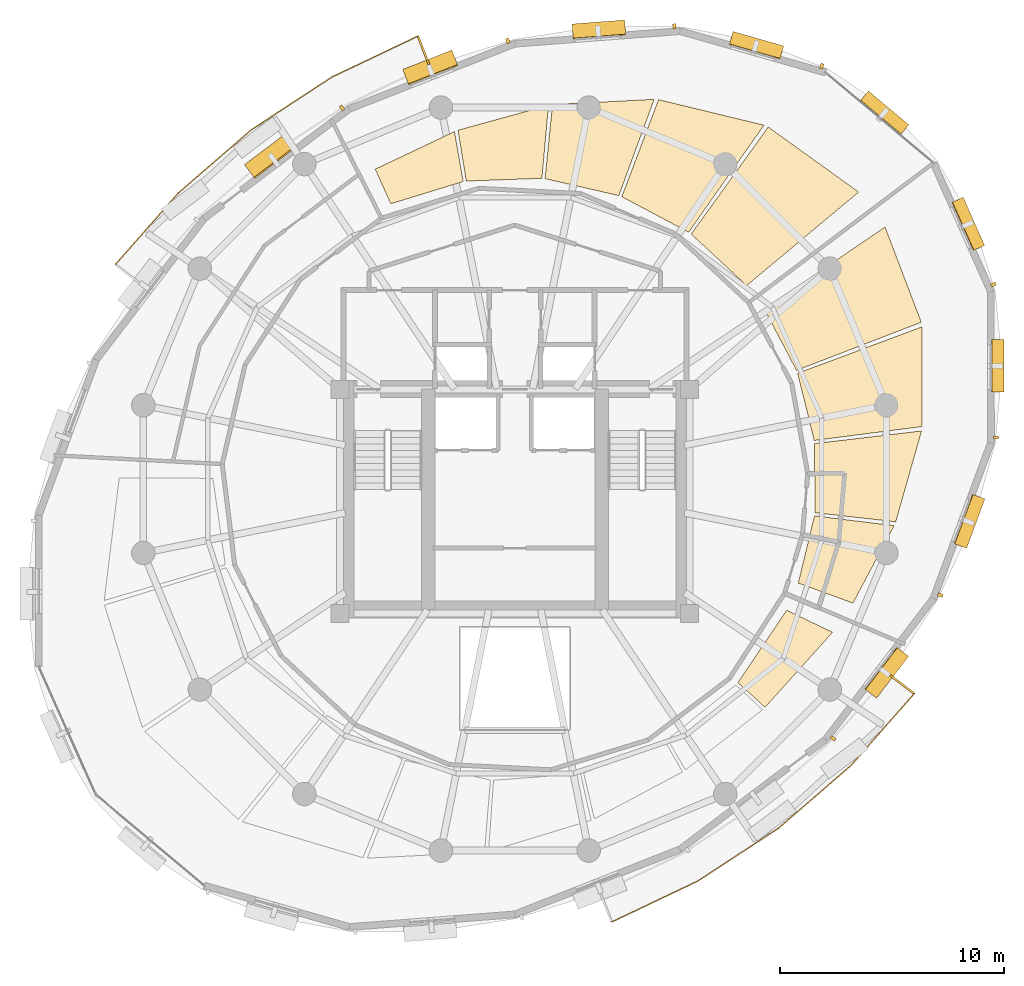
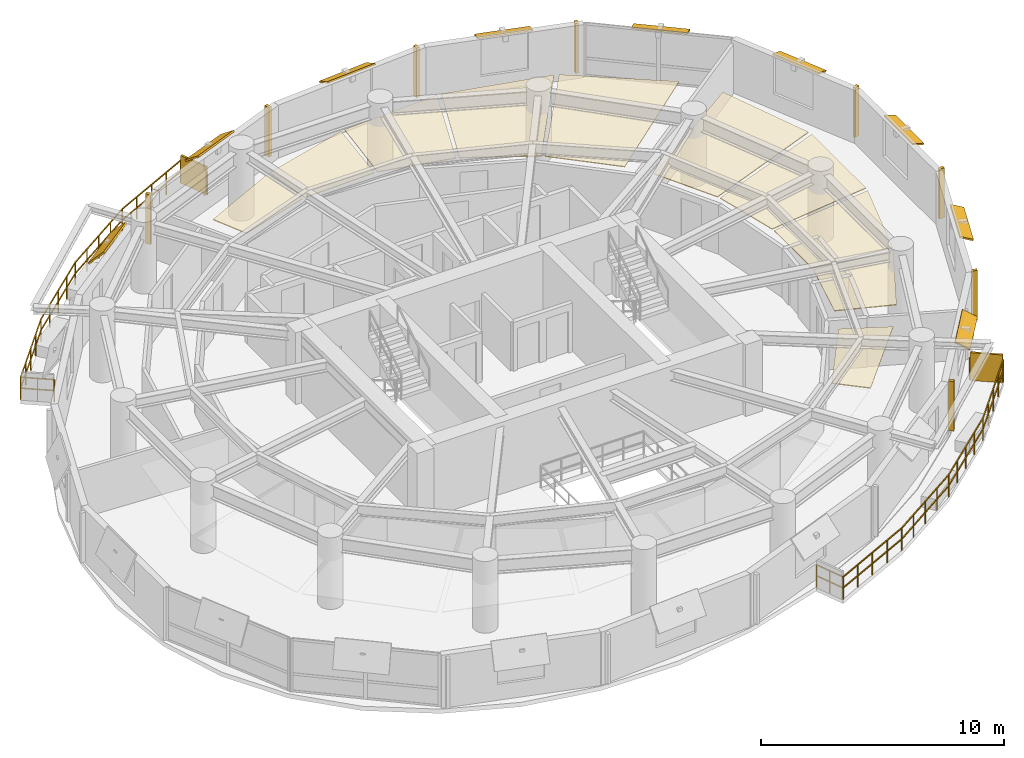
# One storey, part 12 of 12: 19 shading devices, 10 coverings, 2 railings.
"""IFC4 building model written with IfcOpenShell, lengths in metres."""

from ifc_helpers import new_model, si_unit, direction, frame, origin, origin_2d, place, context, subcontext, project, spatial, polyline, rectangle, outline, extrude, material, layer, layer_set, type_object, element, save


model = new_model("IFC4")

# Units and contexts
model_context = context("Model", 3, precision=1e-05, world=origin(), true_north=direction((0.0, 1.0)))
body_context = subcontext(model_context, "Body", "Model", "MODEL_VIEW")
ifc_project = project(units=[si_unit("LENGTHUNIT", "METRE"), si_unit("AREAUNIT", "SQUARE_METRE"), si_unit("VOLUMEUNIT", "CUBIC_METRE"), si_unit("PLANEANGLEUNIT", "RADIAN"), si_unit("MASSUNIT", "GRAM", prefix="KILO"), si_unit("THERMODYNAMICTEMPERATUREUNIT", "KELVIN"), si_unit("POWERUNIT", "WATT")], contexts=[model_context])

# Site, building, storey
site_placement = place(None, origin())
site = spatial("IfcSite", under=ifc_project, at=site_placement, CompositionType="ELEMENT")
building_placement = place(site_placement, origin())
building = spatial("IfcBuilding", under=site, at=building_placement, Name="Ocrelia Relay Tower", CompositionType="ELEMENT")
storey_placement = place(building_placement, frame((0.0, 0.0, 188.0)))
storey = spatial("IfcBuildingStorey", under=building, at=storey_placement, Name="L45", CompositionType="ELEMENT", Elevation=188.0)

# Coverings
ifc_material_1 = material(Name="Mineral-fiber acoustic ceiling tile", Category="gypsum")
ifc_layer_1 = layer(ifc_material_1, 0.0400390625, Name="Mineral-fiber acoustic ceiling tile")
ifc_layer_set_1 = layer_set([ifc_layer_1], Name="Mineral-fiber acoustic ceiling tile")
covering_type = type_object("IfcCoveringType", Name="COV-CEIL-ACOUSTIC", PredefinedType="CEILING", material=ifc_layer_set_1)
covering_1_placement = place(storey_placement, frame((0.0, 0.0, 2.3798828125)))
element("IfcCovering", 1, at=covering_1_placement, inside=storey, type_object=covering_type, Name="L45 Shift Staff Lounge Suspended Ceiling 1", PredefinedType="CEILING", context=body_context, shape_type="SweptSolid", body=[
    extrude(outline(polyline([(46.6455078125, 21.35986328125), (49.08349609375, 20.46533203125), (50.9228515625, 23.922119140625), (47.36962890625, 24.3583984375), (46.6455078125, 21.35986328125)])), origin(), (0.0, 0.0, 1.0), 0.0400390625),
])
covering_2_placement = place(storey_placement, frame((0.0, 0.0, 2.3798828125)))
element("IfcCovering", 2, at=covering_2_placement, inside=storey, type_object=covering_type, Name="L45 Shift Staff Lounge Suspended Ceiling 2", PredefinedType="CEILING", context=body_context, shape_type="SweptSolid", body=[
    extrude(outline(polyline([(47.385986328125, 24.49853515625), (50.993896484375, 24.09375), (52.14599609375, 28.147705078125), (47.376708984375, 27.583251953125), (47.385986328125, 24.49853515625)])), origin(), (0.0, 0.0, 1.0), 0.0400390625),
])
covering_3_placement = place(storey_placement, frame((0.0, 0.0, 2.3798828125)))
element("IfcCovering", 3, at=covering_3_placement, inside=storey, type_object=covering_type, Name="L45 Shift Staff Lounge Suspended Ceiling 3", PredefinedType="CEILING", context=body_context, shape_type="SweptSolid", body=[
    extrude(outline(polyline([(47.359375, 27.72314453125), (52.17626953125, 28.344482421875), (52.1689453125, 32.793212890625), (46.616943359375, 30.71728515625), (47.359375, 27.72314453125)])), origin(), (0.0, 0.0, 1.0), 0.0400390625),
])
covering_4_placement = place(storey_placement, frame((0.0, 0.0, 2.3798828125)))
element("IfcCovering", 4, at=covering_4_placement, inside=storey, type_object=covering_type, Name="L45 Shift Staff Lounge Suspended Ceiling 4", PredefinedType="CEILING", context=body_context, shape_type="SweptSolid", body=[
    extrude(outline(polyline([(46.56689453125, 30.84912109375), (52.134033203125, 32.997314453125), (50.5166015625, 37.24560546875), (45.13427734375, 33.5810546875), (46.56689453125, 30.84912109375)])), origin(), (0.0, 0.0, 1.0), 0.0400390625),
])
covering_5_placement = place(storey_placement, frame((0.0, 0.0, 2.3798828125)))
element("IfcCovering", 5, at=covering_5_placement, inside=storey, type_object=covering_type, Name="L45 Cloud Engineering Workspace Suspended Ceiling 1", PredefinedType="CEILING", context=body_context, shape_type="SweptSolid", body=[
    extrude(outline(polyline([(44.34130859375, 34.63134765625), (49.34033203125, 38.8037109375), (45.306884765625, 41.706298828125), (41.869873046875, 36.931884765625), (44.34130859375, 34.63134765625)])), origin(), (0.0, 0.0, 1.0), 0.0400390625),
])
covering_6_placement = place(storey_placement, frame((0.0, 0.0, 2.3798828125)))
element("IfcCovering", 6, at=covering_6_placement, inside=storey, type_object=covering_type, Name="L45 Cloud Engineering Workspace Suspended Ceiling 2", PredefinedType="CEILING", context=body_context, shape_type="SweptSolid", body=[
    extrude(outline(polyline([(41.7548828125, 37.013671875), (45.117431640625, 41.789306640625), (40.4130859375, 42.9267578125), (38.772216796875, 38.59619140625), (41.7548828125, 37.013671875)])), origin(), (0.0, 0.0, 1.0), 0.0400390625),
])
covering_7_placement = place(storey_placement, frame((0.0, 0.0, 2.3798828125)))
element("IfcCovering", 7, at=covering_7_placement, inside=storey, type_object=covering_type, Name="L45 Cloud Engineering Workspace Suspended Ceiling 3", PredefinedType="CEILING", context=body_context, shape_type="SweptSolid", body=[
    extrude(outline(polyline([(38.64013671875, 38.6455078125), (40.216552734375, 42.94189453125), (35.682373046875, 42.706787109375), (35.349609375, 39.402099609375), (38.64013671875, 38.6455078125)])), origin(), (0.0, 0.0, 1.0), 0.0400390625),
])
covering_8_placement = place(storey_placement, frame((0.0, 0.0, 2.3798828125)))
element("IfcCovering", 8, at=covering_8_placement, inside=storey, type_object=covering_type, Name="L45 Cloud Engineering Workspace Suspended Ceiling 4", PredefinedType="CEILING", context=body_context, shape_type="SweptSolid", body=[
    extrude(outline(polyline([(35.208984375, 39.41552734375), (35.5029296875, 42.67578125), (31.465087890625, 41.56396484375), (31.834716796875, 39.294921875), (35.208984375, 39.41552734375)])), origin(), (0.0, 0.0, 1.0), 0.0400390625),
])
covering_9_placement = place(storey_placement, frame((0.0, 0.0, 2.3798828125)))
element("IfcCovering", 9, at=covering_9_placement, inside=storey, type_object=covering_type, Name="L45 Cloud Engineering Workspace Suspended Ceiling 5", PredefinedType="CEILING", context=body_context, shape_type="SweptSolid", body=[
    extrude(outline(polyline([(31.69580078125, 39.271484375), (31.30810546875, 41.50439453125), (27.77197265625, 39.82568359375), (28.467529296875, 38.281494140625), (31.69580078125, 39.271484375)])), origin(), (0.0, 0.0, 1.0), 0.0400390625),
])
covering_10_placement = place(storey_placement, frame((0.0, 0.0, 2.3798828125)))
element("IfcCovering", 10, at=covering_10_placement, inside=storey, type_object=covering_type, Name="L45 Quiet Day Study Suspended Ceiling 9", PredefinedType="CEILING", context=body_context, shape_type="SweptSolid", body=[
    extrude(outline(polyline([(43.951416015625, 16.922119140625), (45.164306640625, 15.8154296875), (48.173828125, 19.163330078125), (46.13232421875, 20.14794921875), (43.951416015625, 16.922119140625)])), origin(), (0.0, 0.0, 1.0), 0.0400390625),
])

# Railings
ifc_material_2 = material(Name="Steel S355 balustrade", Category="steel")
railing_type = type_object("IfcRailingType", Name="RL-EXT-GUARD-1150", PredefinedType="GUARDRAIL", material=ifc_material_2)
railing_1_placement = place(storey_placement, frame((17.2861328125, 34.7294921875, 0.0)))
element("IfcRailing", 11, at=railing_1_placement, inside=storey, type_object=railing_type, Name="L45 Loggia Balcony Guard Rail B1", PredefinedType="GUARDRAIL", context=body_context, shape_type="SweptSolid", body=[
    extrude(rectangle(XDim=0.048095703125, YDim=0.048095703125, at=origin_2d()), frame((0.0, 0.0, 1.1259765625), z_axis=(-0.795435741963, 0.606037936443, 0.0), x_axis=(-0.606037936443, -0.795435741963, 0.0)), (0.0, 0.0, 1.0), 1.3935546875),
    extrude(rectangle(XDim=0.048095703125, YDim=0.048095703125, at=origin_2d()), frame((0.0, 0.0, 0.574951171875), z_axis=(-0.795435741963, 0.606037936443, 0.0), x_axis=(-0.606037936443, -0.795435741963, 0.0)), (0.0, 0.0, 1.0), 1.3935546875),
    extrude(rectangle(XDim=0.048095703125, YDim=0.048095703125, at=origin_2d()), frame((-1.1083984375, 0.844482421875, 1.1259765625), z_axis=(0.660550254899, 0.750781832993, 0.0), x_axis=(-0.750781832993, 0.660550254899, 0.0)), (0.0, 0.0, 1.0), 2.126708984375),
    extrude(rectangle(XDim=0.048095703125, YDim=0.048095703125, at=origin_2d()), frame((-1.1083984375, 0.844482421875, 0.574951171875), z_axis=(0.660550254899, 0.750781832993, 0.0), x_axis=(-0.750781832993, 0.660550254899, 0.0)), (0.0, 0.0, 1.0), 2.126708984375),
    extrude(rectangle(XDim=0.048095703125, YDim=0.048095703125, at=origin_2d()), frame((0.29638671875, 2.441162109375, 1.1259765625), z_axis=(0.660428606773, 0.750888843542, 0.0), x_axis=(-0.750888843542, 0.660428606773, 0.0)), (0.0, 0.0, 1.0), 2.126708984375),
    extrude(rectangle(XDim=0.048095703125, YDim=0.048095703125, at=origin_2d()), frame((0.29638671875, 2.441162109375, 0.574951171875), z_axis=(0.660428606773, 0.750888843542, 0.0), x_axis=(-0.750888843542, 0.660428606773, 0.0)), (0.0, 0.0, 1.0), 2.126708984375),
    extrude(rectangle(XDim=0.048095703125, YDim=0.048095703125, at=origin_2d()), frame((1.700927734375, 4.0380859375, 1.1259765625), z_axis=(0.755971947125, 0.654604014011, 0.0), x_axis=(-0.654604014011, 0.755971947125, 0.0)), (0.0, 0.0, 1.0), 4.299072265625),
    extrude(rectangle(XDim=0.048095703125, YDim=0.048095703125, at=origin_2d()), frame((1.700927734375, 4.0380859375, 0.574951171875), z_axis=(0.755971947125, 0.654604014011, 0.0), x_axis=(-0.654604014011, 0.755971947125, 0.0)), (0.0, 0.0, 1.0), 4.299072265625),
    extrude(rectangle(XDim=0.048095703125, YDim=0.048095703125, at=origin_2d()), frame((4.950927734375, 6.852294921875, 1.1259765625), z_axis=(0.836686376092, 0.547682305778, 0.0), x_axis=(-0.547682305778, 0.836686376092, 0.0)), (0.0, 0.0, 1.0), 4.299072265625),
    extrude(rectangle(XDim=0.048095703125, YDim=0.048095703125, at=origin_2d()), frame((4.950927734375, 6.852294921875, 0.574951171875), z_axis=(0.836686376092, 0.547682305778, 0.0), x_axis=(-0.547682305778, 0.836686376092, 0.0)), (0.0, 0.0, 1.0), 4.299072265625),
    extrude(rectangle(XDim=0.048095703125, YDim=0.048095703125, at=origin_2d()), frame((8.5478515625, 9.206787109375, 1.1259765625), z_axis=(0.903025969309, 0.429585962008, 0.0), x_axis=(-0.429585962008, 0.903025969309, 0.0)), (0.0, 0.0, 1.0), 2.126708984375),
    extrude(rectangle(XDim=0.048095703125, YDim=0.048095703125, at=origin_2d()), frame((8.5478515625, 9.206787109375, 0.574951171875), z_axis=(0.903025969309, 0.429585962008, 0.0), x_axis=(-0.429585962008, 0.903025969309, 0.0)), (0.0, 0.0, 1.0), 2.126708984375),
    extrude(rectangle(XDim=0.048095703125, YDim=0.048095703125, at=origin_2d()), frame((10.46826171875, 10.120361328125, 1.1259765625), z_axis=(0.903070501156, 0.429492339795, 0.0), x_axis=(-0.429492339795, 0.903070501156, 0.0)), (0.0, 0.0, 1.0), 2.12646484375),
    extrude(rectangle(XDim=0.048095703125, YDim=0.048095703125, at=origin_2d()), frame((10.46826171875, 10.120361328125, 0.574951171875), z_axis=(0.903070501156, 0.429492339795, 0.0), x_axis=(-0.429492339795, 0.903070501156, 0.0)), (0.0, 0.0, 1.0), 2.12646484375),
    extrude(rectangle(XDim=0.048095703125, YDim=0.048095703125, at=origin_2d()), frame((12.388671875, 11.03369140625, 1.1259765625), z_axis=(0.364947584245, -0.931028066577, 0.0), x_axis=(0.931028066577, 0.364947584245, 0.0)), (0.0, 0.0, 1.0), 1.3935546875),
    extrude(rectangle(XDim=0.048095703125, YDim=0.048095703125, at=origin_2d()), frame((12.388671875, 11.03369140625, 0.574951171875), z_axis=(0.364947584245, -0.931028066577, 0.0), x_axis=(0.931028066577, 0.364947584245, 0.0)), (0.0, 0.0, 1.0), 1.3935546875),
    extrude(rectangle(XDim=0.0419921875, YDim=0.0419921875, at=origin_2d()), origin(), (0.0, 0.0, 1.0), 1.101806640625),
    extrude(rectangle(XDim=0.0419921875, YDim=0.0419921875, at=origin_2d()), frame((-0.55419921875, 0.42236328125, 0.0)), (0.0, 0.0, 1.0), 1.101806640625),
    extrude(rectangle(XDim=0.0419921875, YDim=0.0419921875, at=origin_2d()), frame((-1.1083984375, 0.844482421875, 0.0)), (0.0, 0.0, 1.0), 1.101806640625),
    extrude(rectangle(XDim=0.0419921875, YDim=0.0419921875, at=origin_2d()), frame((-0.406005859375, 1.642822265625, 0.0)), (0.0, 0.0, 1.0), 1.101806640625),
    extrude(rectangle(XDim=0.0419921875, YDim=0.0419921875, at=origin_2d()), frame((0.29638671875, 2.441162109375, 0.0)), (0.0, 0.0, 1.0), 1.101806640625),
    extrude(rectangle(XDim=0.0419921875, YDim=0.0419921875, at=origin_2d()), frame((0.99853515625, 3.23974609375, 0.0)), (0.0, 0.0, 1.0), 1.101806640625),
    extrude(rectangle(XDim=0.0419921875, YDim=0.0419921875, at=origin_2d()), frame((1.700927734375, 4.0380859375, 0.0)), (0.0, 0.0, 1.0), 1.101806640625),
    extrude(rectangle(XDim=0.0419921875, YDim=0.0419921875, at=origin_2d()), frame((2.513427734375, 4.74169921875, 0.0)), (0.0, 0.0, 1.0), 1.101806640625),
    extrude(rectangle(XDim=0.0419921875, YDim=0.0419921875, at=origin_2d()), frame((3.325927734375, 5.4453125, 0.0)), (0.0, 0.0, 1.0), 1.101806640625),
    extrude(rectangle(XDim=0.0419921875, YDim=0.0419921875, at=origin_2d()), frame((4.138427734375, 6.148681640625, 0.0)), (0.0, 0.0, 1.0), 1.101806640625),
    extrude(rectangle(XDim=0.0419921875, YDim=0.0419921875, at=origin_2d()), frame((4.950927734375, 6.852294921875, 0.0)), (0.0, 0.0, 1.0), 1.101806640625),
    extrude(rectangle(XDim=0.0419921875, YDim=0.0419921875, at=origin_2d()), frame((5.85009765625, 7.44091796875, 0.0)), (0.0, 0.0, 1.0), 1.101806640625),
    extrude(rectangle(XDim=0.0419921875, YDim=0.0419921875, at=origin_2d()), frame((6.74951171875, 8.029541015625, 0.0)), (0.0, 0.0, 1.0), 1.101806640625),
    extrude(rectangle(XDim=0.0419921875, YDim=0.0419921875, at=origin_2d()), frame((7.648681640625, 8.6181640625, 0.0)), (0.0, 0.0, 1.0), 1.101806640625),
    extrude(rectangle(XDim=0.0419921875, YDim=0.0419921875, at=origin_2d()), frame((8.5478515625, 9.206787109375, 0.0)), (0.0, 0.0, 1.0), 1.101806640625),
    extrude(rectangle(XDim=0.0419921875, YDim=0.0419921875, at=origin_2d()), frame((9.508056640625, 9.66357421875, 0.0)), (0.0, 0.0, 1.0), 1.101806640625),
    extrude(rectangle(XDim=0.0419921875, YDim=0.0419921875, at=origin_2d()), frame((10.46826171875, 10.120361328125, 0.0)), (0.0, 0.0, 1.0), 1.101806640625),
    extrude(rectangle(XDim=0.0419921875, YDim=0.0419921875, at=origin_2d()), frame((11.428466796875, 10.5771484375, 0.0)), (0.0, 0.0, 1.0), 1.101806640625),
    extrude(rectangle(XDim=0.0419921875, YDim=0.0419921875, at=origin_2d()), frame((12.388671875, 11.03369140625, 0.0)), (0.0, 0.0, 1.0), 1.101806640625),
    extrude(rectangle(XDim=0.0419921875, YDim=0.0419921875, at=origin_2d()), frame((12.64306640625, 10.385009765625, 0.0)), (0.0, 0.0, 1.0), 1.101806640625),
    extrude(rectangle(XDim=0.0419921875, YDim=0.0419921875, at=origin_2d()), frame((12.897216796875, 9.736328125, 0.0)), (0.0, 0.0, 1.0), 1.101806640625),
])
railing_2_placement = place(storey_placement, frame((50.7138671875, 17.2705078125, 0.0)))
element("IfcRailing", 12, at=railing_2_placement, inside=storey, type_object=railing_type, Name="L45 Loggia Balcony Guard Rail B2", PredefinedType="GUARDRAIL", context=body_context, shape_type="SweptSolid", body=[
    extrude(rectangle(XDim=0.048095703125, YDim=0.048095703125, at=origin_2d()), frame((0.0, 0.0, 1.1259765625), z_axis=(0.795435741963, -0.606037936443, 0.0), x_axis=(0.606037936443, 0.795435741963, 0.0)), (0.0, 0.0, 1.0), 1.3935546875),
    extrude(rectangle(XDim=0.048095703125, YDim=0.048095703125, at=origin_2d()), frame((0.0, 0.0, 0.574951171875), z_axis=(0.795435741963, -0.606037936443, 0.0), x_axis=(0.606037936443, 0.795435741963, 0.0)), (0.0, 0.0, 1.0), 1.3935546875),
    extrude(rectangle(XDim=0.048095703125, YDim=0.048095703125, at=origin_2d()), frame((1.1083984375, -0.844482421875, 1.1259765625), z_axis=(-0.660493326014, -0.750831916138, 0.0), x_axis=(0.750831916138, -0.660493326014, 0.0)), (0.0, 0.0, 1.0), 2.126953125),
    extrude(rectangle(XDim=0.048095703125, YDim=0.048095703125, at=origin_2d()), frame((1.1083984375, -0.844482421875, 0.574951171875), z_axis=(-0.660493326014, -0.750831916138, 0.0), x_axis=(0.750831916138, -0.660493326014, 0.0)), (0.0, 0.0, 1.0), 2.126953125),
    extrude(rectangle(XDim=0.048095703125, YDim=0.048095703125, at=origin_2d()), frame((-0.29638671875, -2.44140625, 1.1259765625), z_axis=(-0.660485538713, -0.750838766415, 0.0), x_axis=(0.750838766415, -0.660485538713, 0.0)), (0.0, 0.0, 1.0), 2.12646484375),
    extrude(rectangle(XDim=0.048095703125, YDim=0.048095703125, at=origin_2d()), frame((-0.29638671875, -2.44140625, 0.574951171875), z_axis=(-0.660485538713, -0.750838766415, 0.0), x_axis=(0.750838766415, -0.660485538713, 0.0)), (0.0, 0.0, 1.0), 2.12646484375),
    extrude(rectangle(XDim=0.048095703125, YDim=0.048095703125, at=origin_2d()), frame((-1.700927734375, -4.0380859375, 1.1259765625), z_axis=(-0.755971947125, -0.654604014011, 0.0), x_axis=(0.654604014011, -0.755971947125, 0.0)), (0.0, 0.0, 1.0), 4.299072265625),
    extrude(rectangle(XDim=0.048095703125, YDim=0.048095703125, at=origin_2d()), frame((-1.700927734375, -4.0380859375, 0.574951171875), z_axis=(-0.755971947125, -0.654604014011, 0.0), x_axis=(0.654604014011, -0.755971947125, 0.0)), (0.0, 0.0, 1.0), 4.299072265625),
    extrude(rectangle(XDim=0.048095703125, YDim=0.048095703125, at=origin_2d()), frame((-4.950927734375, -6.852294921875, 1.1259765625), z_axis=(-0.836686376092, -0.547682305778, 0.0), x_axis=(0.547682305778, -0.836686376092, 0.0)), (0.0, 0.0, 1.0), 4.299072265625),
    extrude(rectangle(XDim=0.048095703125, YDim=0.048095703125, at=origin_2d()), frame((-4.950927734375, -6.852294921875, 0.574951171875), z_axis=(-0.836686376092, -0.547682305778, 0.0), x_axis=(0.547682305778, -0.836686376092, 0.0)), (0.0, 0.0, 1.0), 4.299072265625),
    extrude(rectangle(XDim=0.048095703125, YDim=0.048095703125, at=origin_2d()), frame((-8.5478515625, -9.206787109375, 1.1259765625), z_axis=(-0.903025969309, -0.429585962008, 0.0), x_axis=(0.429585962008, -0.903025969309, 0.0)), (0.0, 0.0, 1.0), 2.126708984375),
    extrude(rectangle(XDim=0.048095703125, YDim=0.048095703125, at=origin_2d()), frame((-8.5478515625, -9.206787109375, 0.574951171875), z_axis=(-0.903025969309, -0.429585962008, 0.0), x_axis=(0.429585962008, -0.903025969309, 0.0)), (0.0, 0.0, 1.0), 2.126708984375),
    extrude(rectangle(XDim=0.048095703125, YDim=0.048095703125, at=origin_2d()), frame((-10.46826171875, -10.120361328125, 1.1259765625), z_axis=(-0.903070501156, -0.429492339795, 0.0), x_axis=(0.429492339795, -0.903070501156, 0.0)), (0.0, 0.0, 1.0), 2.12646484375),
    extrude(rectangle(XDim=0.048095703125, YDim=0.048095703125, at=origin_2d()), frame((-10.46826171875, -10.120361328125, 0.574951171875), z_axis=(-0.903070501156, -0.429492339795, 0.0), x_axis=(0.429492339795, -0.903070501156, 0.0)), (0.0, 0.0, 1.0), 2.12646484375),
    extrude(rectangle(XDim=0.048095703125, YDim=0.048095703125, at=origin_2d()), frame((-12.388671875, -11.03369140625, 1.1259765625), z_axis=(-0.364947584245, 0.931028066577, 0.0), x_axis=(-0.931028066577, -0.364947584245, 0.0)), (0.0, 0.0, 1.0), 1.3935546875),
    extrude(rectangle(XDim=0.048095703125, YDim=0.048095703125, at=origin_2d()), frame((-12.388671875, -11.03369140625, 0.574951171875), z_axis=(-0.364947584245, 0.931028066577, 0.0), x_axis=(-0.931028066577, -0.364947584245, 0.0)), (0.0, 0.0, 1.0), 1.3935546875),
    extrude(rectangle(XDim=0.0419921875, YDim=0.0419921875, at=origin_2d()), origin(), (0.0, 0.0, 1.0), 1.101806640625),
    extrude(rectangle(XDim=0.0419921875, YDim=0.0419921875, at=origin_2d()), frame((0.55419921875, -0.42236328125, 0.0)), (0.0, 0.0, 1.0), 1.101806640625),
    extrude(rectangle(XDim=0.0419921875, YDim=0.0419921875, at=origin_2d()), frame((1.1083984375, -0.844482421875, 0.0)), (0.0, 0.0, 1.0), 1.101806640625),
    extrude(rectangle(XDim=0.0419921875, YDim=0.0419921875, at=origin_2d()), frame((0.406005859375, -1.64306640625, 0.0)), (0.0, 0.0, 1.0), 1.101806640625),
    extrude(rectangle(XDim=0.0419921875, YDim=0.0419921875, at=origin_2d()), frame((-0.29638671875, -2.44140625, 0.0)), (0.0, 0.0, 1.0), 1.101806640625),
    extrude(rectangle(XDim=0.0419921875, YDim=0.0419921875, at=origin_2d()), frame((-0.99853515625, -3.23974609375, 0.0)), (0.0, 0.0, 1.0), 1.101806640625),
    extrude(rectangle(XDim=0.0419921875, YDim=0.0419921875, at=origin_2d()), frame((-1.700927734375, -4.0380859375, 0.0)), (0.0, 0.0, 1.0), 1.101806640625),
    extrude(rectangle(XDim=0.0419921875, YDim=0.0419921875, at=origin_2d()), frame((-2.513427734375, -4.74169921875, 0.0)), (0.0, 0.0, 1.0), 1.101806640625),
    extrude(rectangle(XDim=0.0419921875, YDim=0.0419921875, at=origin_2d()), frame((-3.325927734375, -5.4453125, 0.0)), (0.0, 0.0, 1.0), 1.101806640625),
    extrude(rectangle(XDim=0.0419921875, YDim=0.0419921875, at=origin_2d()), frame((-4.138427734375, -6.148681640625, 0.0)), (0.0, 0.0, 1.0), 1.101806640625),
    extrude(rectangle(XDim=0.0419921875, YDim=0.0419921875, at=origin_2d()), frame((-4.950927734375, -6.852294921875, 0.0)), (0.0, 0.0, 1.0), 1.101806640625),
    extrude(rectangle(XDim=0.0419921875, YDim=0.0419921875, at=origin_2d()), frame((-5.85009765625, -7.44091796875, 0.0)), (0.0, 0.0, 1.0), 1.101806640625),
    extrude(rectangle(XDim=0.0419921875, YDim=0.0419921875, at=origin_2d()), frame((-6.74951171875, -8.029541015625, 0.0)), (0.0, 0.0, 1.0), 1.101806640625),
    extrude(rectangle(XDim=0.0419921875, YDim=0.0419921875, at=origin_2d()), frame((-7.648681640625, -8.6181640625, 0.0)), (0.0, 0.0, 1.0), 1.101806640625),
    extrude(rectangle(XDim=0.0419921875, YDim=0.0419921875, at=origin_2d()), frame((-8.5478515625, -9.206787109375, 0.0)), (0.0, 0.0, 1.0), 1.101806640625),
    extrude(rectangle(XDim=0.0419921875, YDim=0.0419921875, at=origin_2d()), frame((-9.508056640625, -9.66357421875, 0.0)), (0.0, 0.0, 1.0), 1.101806640625),
    extrude(rectangle(XDim=0.0419921875, YDim=0.0419921875, at=origin_2d()), frame((-10.46826171875, -10.120361328125, 0.0)), (0.0, 0.0, 1.0), 1.101806640625),
    extrude(rectangle(XDim=0.0419921875, YDim=0.0419921875, at=origin_2d()), frame((-11.428466796875, -10.5771484375, 0.0)), (0.0, 0.0, 1.0), 1.101806640625),
    extrude(rectangle(XDim=0.0419921875, YDim=0.0419921875, at=origin_2d()), frame((-12.388671875, -11.03369140625, 0.0)), (0.0, 0.0, 1.0), 1.101806640625),
    extrude(rectangle(XDim=0.0419921875, YDim=0.0419921875, at=origin_2d()), frame((-12.64306640625, -10.385009765625, 0.0)), (0.0, 0.0, 1.0), 1.101806640625),
    extrude(rectangle(XDim=0.0419921875, YDim=0.0419921875, at=origin_2d()), frame((-12.897216796875, -9.736328125, 0.0)), (0.0, 0.0, 1.0), 1.101806640625),
])

# Shading devices
ifc_material_3 = material(Name="Perforated oxide terracotta solar screen", Category="masonry")
ifc_layer_2 = layer(ifc_material_3, 0.090087890625, Name="Perforated oxide terracotta solar screen")
ifc_layer_set_2 = layer_set([ifc_layer_2], Name="Perforated oxide terracotta solar screen")
shading_device_type_1 = type_object("IfcShadingDeviceType", Name="SH-BALC-SCREEN", PredefinedType="USERDEFINED", material=ifc_layer_set_2)
for number, where, z_axis, x_axis, name in (
    (13, (29.92919921875, 45.114501953125, 0.0), (0.0, 0.0, 1.0), (-0.364935069914, 0.93103297189, 0.0), "L45 Balcony Perforated Terracotta Screen B1-1"),
    (14, (51.26806640625, 16.848388671875, 0.0), (0.0, 0.0, 1.0), (0.795430072655, -0.60604537744, 0.0), "L45 Balcony Perforated Terracotta Screen B2-2"),
):
    element("IfcShadingDevice", number, at=place(storey_placement, frame(where, z_axis=z_axis, x_axis=x_axis)), inside=storey, type_object=shading_device_type_1, Name=name, ObjectType="SCREEN", PredefinedType="USERDEFINED", context=body_context, shape_type="SweptSolid", body=[
        extrude(rectangle(XDim=1.340087890625, YDim=0.090087890625, at=origin_2d()), origin(), (0.0, 0.0, 1.0), 1.39990234375),
    ])
ifc_material_4 = material(Name="Extruded oxide terracotta vertical baguette", Category="masonry")
shading_device_type_2 = type_object("IfcShadingDeviceType", Name="SH-TERR-BAGUETTE", PredefinedType="USERDEFINED", material=ifc_material_4)
for number, where, z_axis, x_axis, name in (
    (15, (47.693115234375, 44.421630859375, 0.080078125), (0.0, 0.0, 1.0), (-0.961710584417, 0.274067057161, 0.0), "L45 Oxide Terracotta Vertical Baguette 02"),
    (16, (41.1171875, 46.1943359375, 0.080078125), (0.0, 0.0, 1.0), (-0.997113113744, -0.075930483991, 0.0), "L45 Oxide Terracotta Vertical Baguette 03"),
    (17, (33.690185546875, 45.547607421875, 0.080078125), (0.0, 0.0, 1.0), (-0.930471083257, -0.366365341186, 0.0), "L45 Oxide Terracotta Vertical Baguette 04"),
    (18, (26.291748046875, 42.556396484375, 0.080078125), (0.0, 0.0, 1.0), (-0.798105974055, -0.60251709866, 0.0), "L45 Oxide Terracotta Vertical Baguette 05"),
    (19, (48.192626953125, 14.43017578125, 0.080078125), (0.0, 0.0, 1.0), (0.607259515871, 0.794503543343, 0.0), "L45 Oxide Terracotta Vertical Baguette 15"),
    (20, (52.976806640625, 20.82275390625, 0.080078125), (0.0, 0.0, 1.0), (0.346195816944, 0.938162276118, 0.0), "L45 Oxide Terracotta Vertical Baguette 16"),
    (21, (55.468994140625, 27.857421875, 0.080078125), (0.0, 0.0, 1.0), (-0.00010377904, 0.999999994615, 0.0), "L45 Oxide Terracotta Vertical Baguette 17"),
    (22, (55.350341796875, 34.67529296875, 0.080078125), (0.0, 0.0, 1.0), (-0.407850854361, 0.913048564205, 0.0), "L45 Oxide Terracotta Vertical Baguette 18"),
):
    element("IfcShadingDevice", number, at=place(storey_placement, frame(where, z_axis=z_axis, x_axis=x_axis)), inside=storey, type_object=shading_device_type_2, Name=name, ObjectType="BAGUETTE", PredefinedType="USERDEFINED", context=body_context, shape_type="SweptSolid", body=[
        extrude(rectangle(XDim=0.139892578125, YDim=0.239990234375, at=origin_2d()), origin(), (0.0, 0.0, 1.0), 2.5),
    ])
ifc_material_5 = material(Name="Extruded oxide terracotta fin", Category="masonry")
ifc_layer_3 = layer(ifc_material_5, 0.080078125, Name="Extruded oxide terracotta fin")
ifc_layer_set_3 = layer_set([ifc_layer_3], Name="Extruded oxide terracotta fin")
shading_device_type_3 = type_object("IfcShadingDeviceType", Name="SH-VISOR-FIN-MED", PredefinedType="USERDEFINED", material=ifc_layer_set_3)
shading_device_1_placement = place(storey_placement, frame((30.23828125, 44.339111328125, 2.4677734375), z_axis=(-0.217613928559, 0.552681831699, 0.804479316705), x_axis=(-0.930471083257, -0.366365341186, 0.0)))
element("IfcShadingDevice", 23, at=shading_device_1_placement, inside=storey, type_object=shading_device_type_3, Name="L45 Canted Terracotta Sun-Visor Fin 04", ObjectType="FIN", PredefinedType="USERDEFINED", context=body_context, shape_type="SweptSolid", body=[
    extrude(rectangle(XDim=2.35009765625, YDim=0.85693359375, at=origin_2d()), origin(), (0.0, 0.0, 1.0), 0.080078125),
])
shading_device_2_placement = place(storey_placement, frame((23.125732421875, 40.404541015625, 2.47265625), z_axis=(-0.440724821997, 0.583792749006, 0.681870704375), x_axis=(-0.798105974055, -0.60251709866, 0.0)))
element("IfcShadingDevice", 24, at=shading_device_2_placement, inside=storey, type_object=shading_device_type_3, Name="L45 Canted Terracotta Sun-Visor Fin 05", ObjectType="FIN", PredefinedType="USERDEFINED", context=body_context, shape_type="SweptSolid", body=[
    extrude(rectangle(XDim=2.35009765625, YDim=1.033935546875, at=origin_2d()), origin(), (0.0, 0.0, 1.0), 0.080078125),
])
ifc_layer_4 = layer(ifc_material_5, 0.080078125, Name="Extruded oxide terracotta fin")
ifc_layer_set_4 = layer_set([ifc_layer_4], Name="Extruded oxide terracotta fin")
shading_device_type_4 = type_object("IfcShadingDeviceType", Name="SH-VISOR-FIN-SHAL", PredefinedType="USERDEFINED", material=ifc_layer_set_4)
shading_device_3_placement = place(storey_placement, frame((50.4873046875, 42.33203125, 2.462158203125), z_axis=(0.213479362805, 0.25468994076, 0.943164670528), x_axis=(-0.766386416284, 0.642379841632, 0.0)))
element("IfcShadingDevice", 25, at=shading_device_3_placement, inside=storey, type_object=shading_device_type_4, Name="L45 Canted Terracotta Sun-Visor Fin 01", ObjectType="FIN", PredefinedType="USERDEFINED", context=body_context, shape_type="SweptSolid", body=[
    extrude(rectangle(XDim=2.35009765625, YDim=0.572998046875, at=origin_2d()), origin(), (0.0, 0.0, 1.0), 0.080078125),
])
shading_device_4_placement = place(storey_placement, frame((44.7763671875, 45.337158203125, 2.463134765625), z_axis=(0.105101845167, 0.368805933796, 0.923545226472), x_axis=(-0.961710584417, 0.274067057161, 0.0)))
element("IfcShadingDevice", 26, at=shading_device_4_placement, inside=storey, type_object=shading_device_type_4, Name="L45 Canted Terracotta Sun-Visor Fin 02", ObjectType="FIN", PredefinedType="USERDEFINED", context=body_context, shape_type="SweptSolid", body=[
    extrude(rectangle(XDim=2.35009765625, YDim=0.6259765625, at=origin_2d()), origin(), (0.0, 0.0, 1.0), 0.080078125),
])
shading_device_5_placement = place(storey_placement, frame((37.753662109375, 46.038330078125, 2.464599609375), z_axis=(-0.035682301537, 0.468577163236, 0.882701657102), x_axis=(-0.997113113744, -0.075930483991, 0.0)))
element("IfcShadingDevice", 27, at=shading_device_5_placement, inside=storey, type_object=shading_device_type_4, Name="L45 Canted Terracotta Sun-Visor Fin 03", ObjectType="FIN", PredefinedType="USERDEFINED", context=body_context, shape_type="SweptSolid", body=[
    extrude(rectangle(XDim=2.35009765625, YDim=0.717041015625, at=origin_2d()), origin(), (0.0, 0.0, 1.0), 0.080078125),
])
shading_device_6_placement = place(storey_placement, frame((50.57373046875, 17.3740234375, 2.46435546875), z_axis=(0.365507243368, -0.279366597562, 0.887895691628), x_axis=(0.607259515871, 0.794503543343, 0.0)))
element("IfcShadingDevice", 28, at=shading_device_6_placement, inside=storey, type_object=shading_device_type_4, Name="L45 Canted Terracotta Sun-Visor Fin 15", ObjectType="FIN", PredefinedType="USERDEFINED", context=body_context, shape_type="SweptSolid", body=[
    extrude(rectangle(XDim=2.35009765625, YDim=0.70703125, at=origin_2d()), origin(), (0.0, 0.0, 1.0), 0.080078125),
])
shading_device_7_placement = place(storey_placement, frame((54.272705078125, 24.121826171875, 2.462646484375), z_axis=(0.3404834698, -0.125643458476, 0.931817969421), x_axis=(0.346195816944, 0.938162276118, 0.0)))
element("IfcShadingDevice", 29, at=shading_device_7_placement, inside=storey, type_object=shading_device_type_4, Name="L45 Canted Terracotta Sun-Visor Fin 16", ObjectType="FIN", PredefinedType="USERDEFINED", context=body_context, shape_type="SweptSolid", body=[
    extrude(rectangle(XDim=2.35009765625, YDim=0.60498046875, at=origin_2d()), origin(), (0.0, 0.0, 1.0), 0.080078125),
])
shading_device_8_placement = place(storey_placement, frame((55.53369140625, 31.062255859375, 2.4619140625), z_axis=(0.317470163563, 3.2946749e-05, 0.948268260653), x_axis=(-0.00010377904, 0.999999994615, 0.0)))
element("IfcShadingDevice", 30, at=shading_device_8_placement, inside=storey, type_object=shading_device_type_4, Name="L45 Canted Terracotta Sun-Visor Fin 17", ObjectType="FIN", PredefinedType="USERDEFINED", context=body_context, shape_type="SweptSolid", body=[
    extrude(rectangle(XDim=2.35009765625, YDim=0.55810546875, at=origin_2d()), origin(), (0.0, 0.0, 1.0), 0.080078125),
])
shading_device_9_placement = place(storey_placement, frame((54.2197265625, 37.379638671875, 2.4619140625), z_axis=(0.283208215032, 0.126506647063, 0.950678271124), x_axis=(-0.407850854361, 0.913048564205, 0.0)))
element("IfcShadingDevice", 31, at=shading_device_9_placement, inside=storey, type_object=shading_device_type_4, Name="L45 Canted Terracotta Sun-Visor Fin 18", ObjectType="FIN", PredefinedType="USERDEFINED", context=body_context, shape_type="SweptSolid", body=[
    extrude(rectangle(XDim=2.35009765625, YDim=0.551025390625, at=origin_2d()), origin(), (0.0, 0.0, 1.0), 0.080078125),
])

save(model, "model.ifc")
